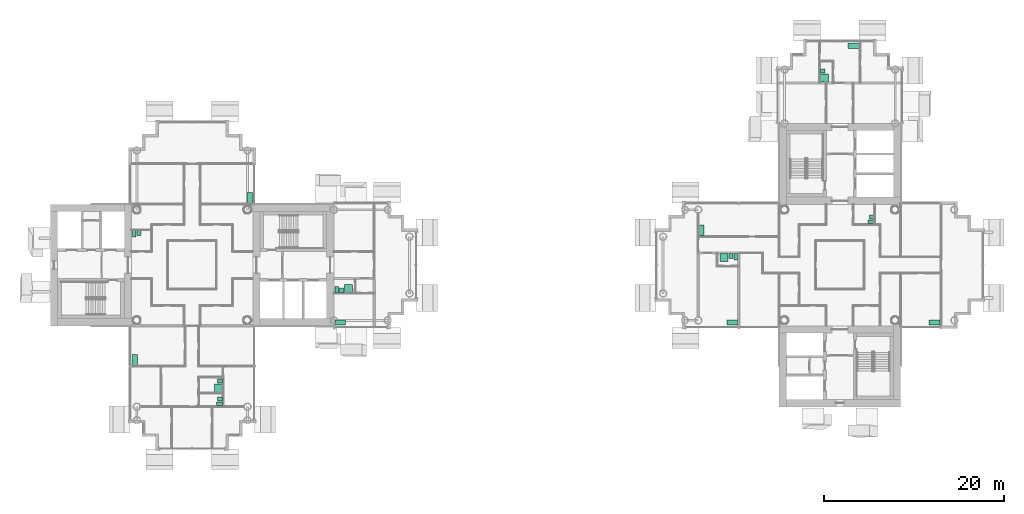
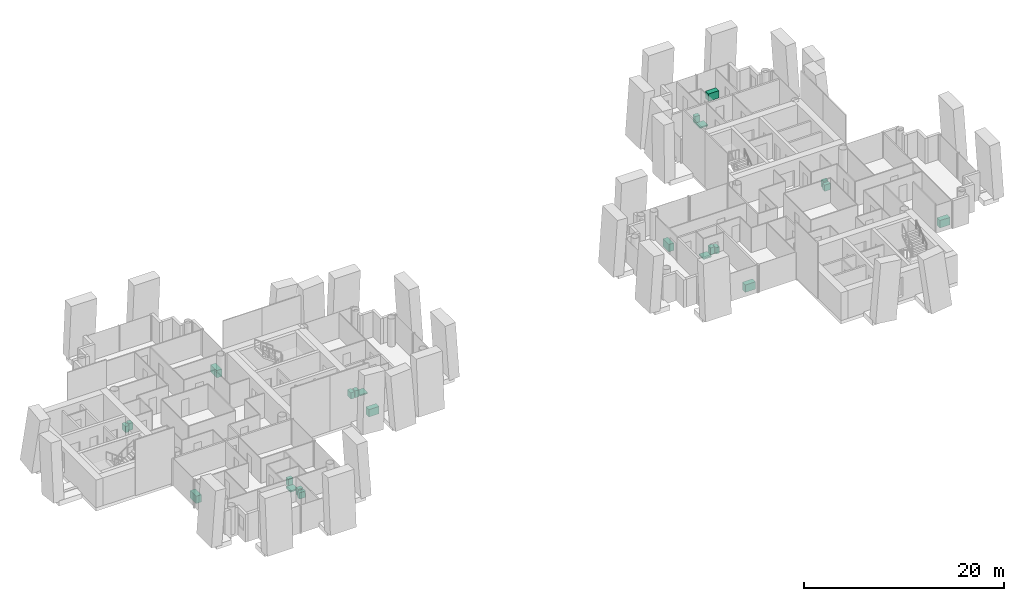
# One storey, part 19 of 19: 23 sanitary terminals.
"""IFC4 building model written with IfcOpenShell, lengths in metres."""

from ifc_helpers import new_model, si_unit, direction, frame, origin, origin_2d, place, context, subcontext, project, spatial, rectangle, extrude, material, type_object, element, save


model = new_model("IFC4")

# Units and contexts
model_context = context("Model", 3, precision=1e-05, world=origin(), true_north=direction((0.0, 1.0)))
body_context = subcontext(model_context, "Body", "Model", "MODEL_VIEW")
ifc_project = project(units=[si_unit("LENGTHUNIT", "METRE"), si_unit("AREAUNIT", "SQUARE_METRE"), si_unit("VOLUMEUNIT", "CUBIC_METRE"), si_unit("PLANEANGLEUNIT", "RADIAN"), si_unit("MASSUNIT", "GRAM", prefix="KILO")], contexts=[model_context])

# Site, building, storey
site_placement = place(None, origin())
site = spatial("IfcSite", under=ifc_project, at=site_placement, CompositionType="ELEMENT")
building_placement = place(site_placement, origin())
building = spatial("IfcBuilding", under=site, at=building_placement, Name="Ipe Terrace Towers", CompositionType="ELEMENT")
storey_placement = place(building_placement, frame((0.0, 0.0, 137.10009765625)))
storey = spatial("IfcBuildingStorey", under=building, at=storey_placement, Name="L37", CompositionType="ELEMENT", Elevation=137.10009765625)

# Sanitary terminals
ifc_material_1 = material(Name="Stainless sink unit", Category="metal")
sanitary_terminal_type_1 = type_object("IfcSanitaryTerminalType", Name="Kitchen sink unit", PredefinedType="SINK", material=ifc_material_1)
for number, where, z_axis, x_axis, name in (
    (1, (-29.6201171875, 7.469970703125, 0.0), (0.0, 0.0, 1.0), (0.0, -1.0, 0.0), "Kitchen sink unit"),
    (2, (-42.3798828125, -10.530029296875, 0.0), (0.0, 0.0, 1.0), (0.0, 1.0, 0.0), "Kitchen sink unit"),
    (3, (-19.530029296875, -6.3798828125, 0.0), (0.0, 0.0, 1.0), (-1.0, 0.0, 0.0), "Kitchen sink unit"),
    (4, (24.030029296875, -6.3798828125, 0.0), (0.0, 0.0, 1.0), (-1.0, 0.0, 0.0), "Kitchen sink unit"),
    (5, (20.6201171875, 3.8701171875, 0.0), (0.0, 0.0, 1.0), (0.0, 1.0, 0.0), "Kitchen sink unit"),
    (6, (46.530029296875, -6.3798828125, 0.0), (0.0, 0.0, 1.0), (-1.0, 0.0, 0.0), "Kitchen sink unit"),
    (7, (37.530029296875, 24.3798828125, 0.0), (0.0, 0.0, 1.0), (1.0, 0.0, 0.0), "Kitchen sink unit"),
):
    element("IfcSanitaryTerminal", number, at=place(storey_placement, frame(where, z_axis=z_axis, x_axis=x_axis)), inside=storey, type_object=sanitary_terminal_type_1, Name=name, PredefinedType="SINK", context=body_context, shape_type="SweptSolid", body=[
        extrude(rectangle(XDim=1.199951171875, YDim=0.60009765625, at=origin_2d()), origin(), (0.0, 0.0, 1.0), 0.89990234375),
    ])
ifc_material_2 = material(Name="Acrylic", Category="plastic")
sanitary_terminal_type_2 = type_object("IfcSanitaryTerminalType", Name="Shower tray", PredefinedType="SHOWER", material=ifc_material_2)
for number, where, z_axis, x_axis, name in (
    (8, (-33.070068359375, -13.679931640625, 0.0), (0.0, 0.0, 1.0), (-1.0, 0.0, 0.0), "Shower tray"),
    (9, (-18.6298828125, -2.6298828125, 0.0), (0.0, 0.0, 1.0), (0.0, 1.0, 0.0), "Shower tray"),
    (10, (23.1298828125, 0.830078125, 0.0), (0.0, 0.0, 1.0), (0.0, -1.0, 0.0), "Shower tray"),
    (11, (34.27001953125, 20.820068359375, 0.0), (0.0, 0.0, 1.0), (1.0, 0.0, 0.0), "Shower tray"),
):
    element("IfcSanitaryTerminal", number, at=place(storey_placement, frame(where, z_axis=z_axis, x_axis=x_axis)), inside=storey, type_object=sanitary_terminal_type_2, Name=name, PredefinedType="SHOWER", context=body_context, shape_type="SweptSolid", body=[
        extrude(rectangle(XDim=0.89990234375, YDim=0.89990234375, at=origin_2d()), origin(), (0.0, 0.0, 1.0), 0.14990234375),
    ])
ifc_material_3 = material(Name="Vitreous china", Category="ceramic")
sanitary_terminal_type_3 = type_object("IfcSanitaryTerminalType", Name="Wash basin", PredefinedType="WASHHANDBASIN", material=ifc_material_3)
for number, where, z_axis, x_axis, name in (
    (12, (-41.905029296875, 3.554931640625, -0.000244140625), (0.0, 0.0, 1.0), (0.0, -1.0, 0.0), "Wash basin"),
    (13, (-32.89501953125, -12.905029296875, -0.000244140625), (0.0, 0.0, 1.0), (-1.0, 0.0, 0.0), "Wash basin"),
    (14, (-32.89501953125, -14.905029296875, -0.000244140625), (0.0, 0.0, 1.0), (-1.0, 0.0, 0.0), "Wash basin"),
    (15, (-19.405029296875, -2.804931640625, -0.000244140625), (0.0, 0.0, 1.0), (0.0, 1.0, 0.0), "Wash basin"),
    (16, (39.554931640625, 5.344970703125, -0.000244140625), (0.0, 0.0, 1.0), (-1.0, 0.0, 0.0), "Wash basin"),
    (17, (23.905029296875, 1.0048828125, -0.000244140625), (0.0, 0.0, 1.0), (0.0, -1.0, 0.0), "Wash basin"),
    (18, (34.094970703125, 21.594970703125, -0.000244140625), (0.0, 0.0, 1.0), (1.0, 0.0, 0.0), "Wash basin"),
):
    element("IfcSanitaryTerminal", number, at=place(storey_placement, frame(where, z_axis=z_axis, x_axis=x_axis)), inside=storey, type_object=sanitary_terminal_type_3, Name=name, PredefinedType="WASHHANDBASIN", context=body_context, shape_type="SweptSolid", body=[
        extrude(rectangle(XDim=0.550048828125, YDim=0.449951171875, at=origin_2d()), origin(), (0.0, 0.0, 1.0), 0.85009765625),
    ])
ifc_material_4 = material(Name="Vitreous china", Category="ceramic")
sanitary_terminal_type_4 = type_object("IfcSanitaryTerminalType", Name="Water closet", PredefinedType="TOILETPAN", material=ifc_material_4)
for number, where, z_axis, x_axis, name in (
    (19, (-42.429931640625, 3.47998046875, 0.0), (0.0, 0.0, 1.0), (0.0, -1.0, 0.0), "Water closet"),
    (20, (-32.969970703125, -15.429931640625, 0.0), (0.0, 0.0, 1.0), (-1.0, 0.0, 0.0), "Water closet"),
    (21, (-19.929931640625, -2.72998046875, 0.0), (0.0, 0.0, 1.0), (0.0, 1.0, 0.0), "Water closet"),
    (22, (39.47998046875, 4.820068359375, 0.0), (0.0, 0.0, 1.0), (-1.0, 0.0, 0.0), "Water closet"),
    (23, (24.429931640625, 0.929931640625, 0.0), (0.0, 0.0, 1.0), (0.0, -1.0, 0.0), "Water closet"),
):
    element("IfcSanitaryTerminal", number, at=place(storey_placement, frame(where, z_axis=z_axis, x_axis=x_axis)), inside=storey, type_object=sanitary_terminal_type_4, Name=name, PredefinedType="TOILETPAN", context=body_context, shape_type="SweptSolid", body=[
        extrude(rectangle(XDim=0.699951171875, YDim=0.39990234375, at=origin_2d()), origin(), (0.0, 0.0, 1.0), 0.780029296875),
    ])

save(model, "model.ifc")
